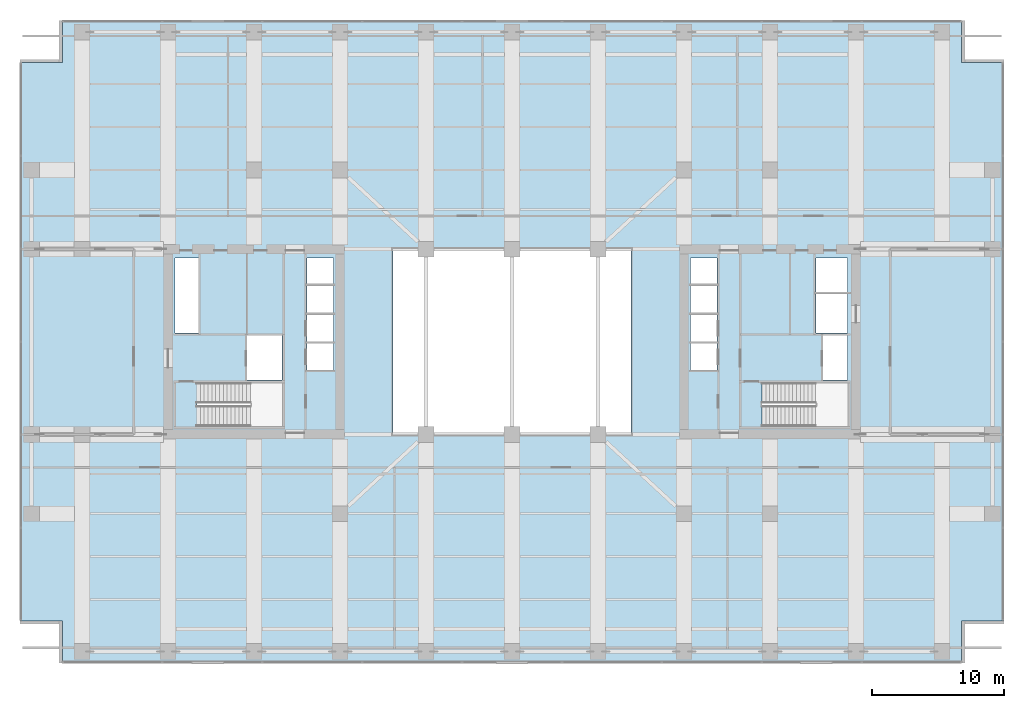
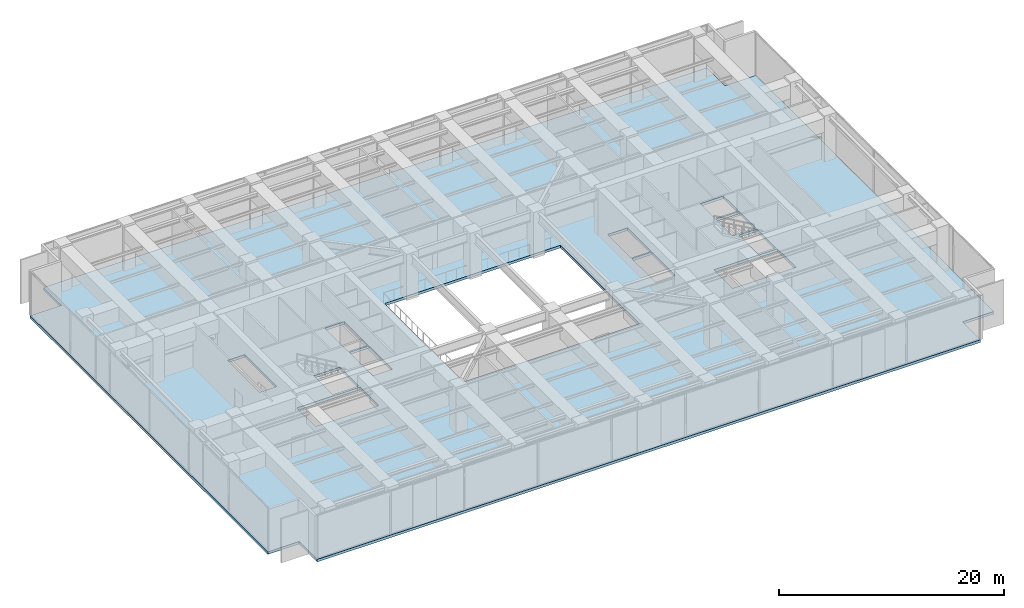
# One storey, part 14 of 28: 1 slab.
"""IFC4 building model written with IfcOpenShell, lengths in metres."""

from ifc_helpers import new_model, si_unit, direction, frame, origin, place, context, subcontext, project, spatial, polyline, outline, extrude, material, layer, layer_set, type_object, element, save


model = new_model("IFC4")

# Units and contexts
model_context = context("Model", 3, precision=1e-05, world=origin(), true_north=direction((0.0, 1.0)))
body_context = subcontext(model_context, "Body", "Model", "MODEL_VIEW")
ifc_project = project(units=[si_unit("LENGTHUNIT", "METRE"), si_unit("AREAUNIT", "SQUARE_METRE"), si_unit("VOLUMEUNIT", "CUBIC_METRE"), si_unit("PLANEANGLEUNIT", "RADIAN"), si_unit("MASSUNIT", "GRAM", prefix="KILO")], contexts=[model_context])

# Site, building, storey
site_placement = place(None, origin())
site = spatial("IfcSite", under=ifc_project, at=site_placement, CompositionType="ELEMENT")
building_placement = place(site_placement, origin())
building = spatial("IfcBuilding", under=site, at=building_placement, Name="Putna Gate Headquarters", CompositionType="ELEMENT")
storey_placement = place(building_placement, frame((0.0, 0.0, 139.199951171875)))
storey = spatial("IfcBuildingStorey", under=building, at=storey_placement, Name="L34", CompositionType="ELEMENT", Elevation=139.199951171875)

# Slab
ifc_material = material(Name="Concrete C40/50", Category="concrete")
ifc_layer = layer(ifc_material, 0.280029296875)
ifc_layer_set = layer_set([ifc_layer], Name="Concrete C40/50")
slab_type = type_object("IfcSlabType", Name="SLAB-PLANT-280", PredefinedType="FLOOR", material=ifc_layer_set)
slab_placement = place(storey_placement, frame((0.0, 0.0, -0.280029296875)))
element("IfcSlab", 1, at=slab_placement, inside=storey, type_object=slab_type, Name="L34 Composite Floor Slab", PredefinedType="FLOOR", context=body_context, shape_type="SweptSolid", body=[
    extrude(outline(polyline([(5.0, 1.699951171875), (73.0, 1.699951171875), (73.0, 4.89990234375), (76.199951171875, 4.89990234375), (76.199951171875, 47.10009765625), (73.0, 47.10009765625), (73.0, 50.300048828125), (5.0, 50.300048828125), (5.0, 47.10009765625), (1.800048828125, 47.10009765625), (1.800048828125, 4.89990234375), (5.0, 4.89990234375), (5.0, 1.699951171875)]), holes=[polyline([(15.1650390625, 19.60009765625), (21.64990234375, 19.60009765625), (21.64990234375, 22.89990234375), (15.1650390625, 22.89990234375), (15.1650390625, 19.60009765625)]), polyline([(57.9150390625, 19.60009765625), (64.39990234375, 19.60009765625), (64.39990234375, 22.89990234375), (57.9150390625, 22.89990234375), (57.9150390625, 19.60009765625)]), polyline([(13.52001953125, 26.659912109375), (15.280029296875, 26.659912109375), (15.280029296875, 32.35009765625), (13.52001953125, 32.35009765625), (13.52001953125, 26.659912109375)]), polyline([(61.969970703125, 29.780029296875), (64.35009765625, 29.780029296875), (64.35009765625, 32.35009765625), (61.969970703125, 32.35009765625), (61.969970703125, 29.780029296875)]), polyline([(18.97998046875, 23.1201171875), (21.6201171875, 23.1201171875), (21.6201171875, 26.4599609375), (18.97998046875, 26.4599609375), (18.97998046875, 23.1201171875)]), polyline([(62.52001953125, 23.1201171875), (64.35009765625, 23.1201171875), (64.35009765625, 26.4599609375), (62.52001953125, 26.4599609375), (62.52001953125, 23.1201171875)]), polyline([(61.969970703125, 26.659912109375), (64.35009765625, 26.659912109375), (64.35009765625, 29.6201171875), (61.969970703125, 29.6201171875), (61.969970703125, 26.659912109375)]), polyline([(23.5, 23.860107421875), (25.5, 23.860107421875), (25.5, 28.0400390625), (23.5, 28.0400390625), (23.5, 23.860107421875)]), polyline([(52.47998046875, 23.860107421875), (54.5, 23.860107421875), (54.5, 28.0400390625), (52.47998046875, 28.0400390625), (52.47998046875, 23.860107421875)]), polyline([(23.5, 28.199951171875), (25.5, 28.199951171875), (25.5, 32.35009765625), (23.5, 32.35009765625), (23.5, 28.199951171875)]), polyline([(52.47998046875, 28.199951171875), (54.5, 28.199951171875), (54.5, 32.35009765625), (52.47998046875, 32.35009765625), (52.47998046875, 28.199951171875)]), polyline([(30.0, 19.0), (48.0, 19.0), (48.0, 33.0), (30.0, 33.0), (30.0, 19.0)])]), origin(), (0.0, 0.0, 1.0), 0.280029296875),
])

save(model, "model.ifc")
